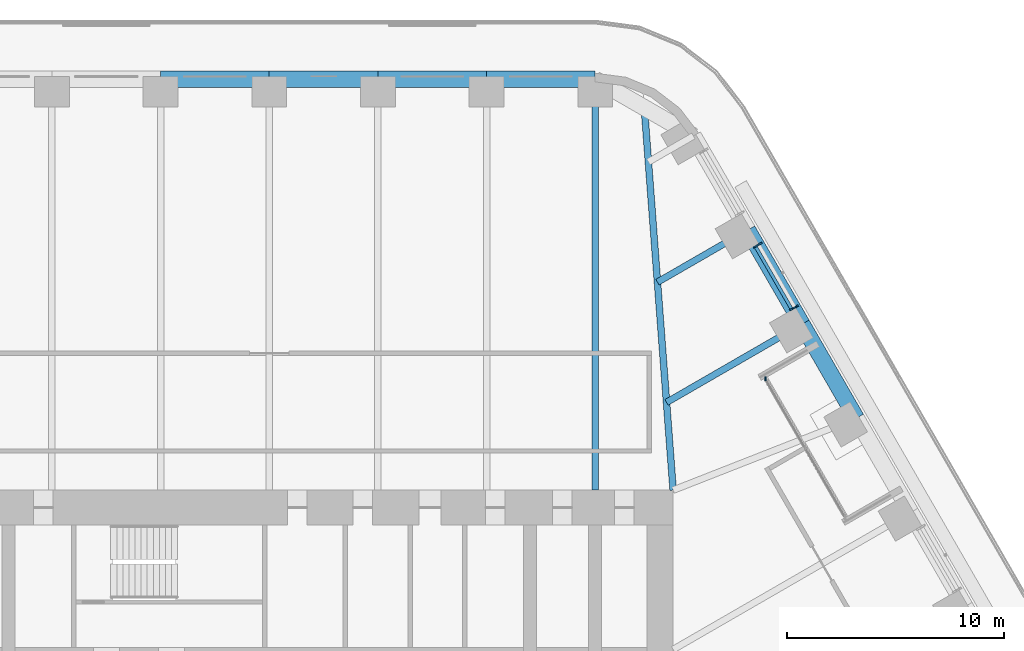
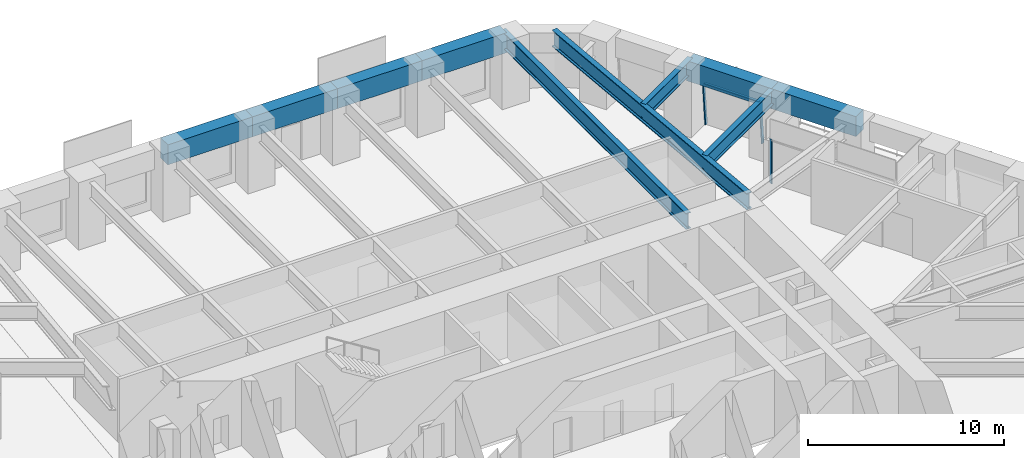
# One storey, part 12 of 24: 10 beams, 4 members, 2 elements without a shape of their own.
"""IFC4 building model written with IfcOpenShell, lengths in metres."""

from ifc_helpers import new_model, si_unit, direction, frame, origin, origin_2d, place, context, subcontext, project, spatial, rectangle, i_section, extrude, material, material_profile, profile_set, type_object, element, aggregate, save


model = new_model("IFC4")

# Units and contexts
model_context = context("Model", 3, precision=1e-05, world=origin(), true_north=direction((0.0, 1.0)))
body_context = subcontext(model_context, "Body", "Model", "MODEL_VIEW")
ifc_project = project(units=[si_unit("LENGTHUNIT", "METRE"), si_unit("AREAUNIT", "SQUARE_METRE"), si_unit("VOLUMEUNIT", "CUBIC_METRE"), si_unit("PLANEANGLEUNIT", "RADIAN"), si_unit("MASSUNIT", "GRAM", prefix="KILO")], contexts=[model_context])

# Site, building, storey
site_placement = place(None, origin())
site = spatial("IfcSite", under=ifc_project, at=site_placement, CompositionType="ELEMENT")
building_placement = place(site_placement, origin())
building = spatial("IfcBuilding", under=site, at=building_placement, Name="Tarfa Lantern Tower", CompositionType="ELEMENT")
storey_placement = place(building_placement, frame((0.0, 0.0, 174.10009765625)))
storey = spatial("IfcBuildingStorey", under=building, at=storey_placement, Name="L39", CompositionType="ELEMENT", Elevation=174.10009765625)

# Curtain wall, members
ifc_material_1 = material(Name="Aluminium framed curtain wall", Category="aluminium")
curtain_wall_type_1 = type_object("IfcCurtainWallType", Name="CW2 CANTED GLAZING MID ZONE 2750", PredefinedType="USERDEFINED", material=ifc_material_1)
curtain_wall_1_placement = place(storey_placement, origin())
curtain_wall_1 = element("IfcCurtainWall", 1, at=curtain_wall_1_placement, inside=storey, type_object=curtain_wall_type_1, Name="CW2 NEB L39", ObjectType="CURTAIN WALL", PredefinedType="USERDEFINED")
ifc_material_2 = material(Name="Aluminium mullion", Category="aluminium")
ifc_material_profile_1 = material_profile(ifc_material_2, rectangle(XDim=0.06494140625, YDim=0.199951171875, at=origin_2d()), Name="AL MULLION 65x200")
ifc_profile_set_1 = profile_set([ifc_material_profile_1], Name="Aluminium mullion")
member_type_1 = type_object("IfcMemberType", Name="CWM1 MULLION 65x200", PredefinedType="MULLION", material=ifc_profile_set_1)
member_1_placement = place(storey_placement, frame((24.275146484375, 20.75439453125, 0.0), z_axis=(-0.078422950161, -0.045267813396, 0.995891894715), x_axis=(0.499919672301, -0.866071776036, 0.0)))
member_1 = element("IfcMember", 2, at=member_1_placement, type_object=member_type_1, Name="CW2 mullion 1", PredefinedType="MULLION", context=body_context, shape_type="SweptSolid", body=[
    extrude(rectangle(XDim=0.06494140625, YDim=0.199951171875, at=origin_2d()), origin(), (0.0, 0.0, 1.0), 2.76123046875),
])
member_2_placement = place(storey_placement, frame((22.605712890625, 23.645751953125, 0.0), z_axis=(-0.078422950161, -0.045267813396, 0.995891894715), x_axis=(0.499919672301, -0.866071776036, 0.0)))
member_2 = element("IfcMember", 3, at=member_2_placement, type_object=member_type_1, Name="CW2 mullion 2", PredefinedType="MULLION", context=body_context, shape_type="SweptSolid", body=[
    extrude(rectangle(XDim=0.06494140625, YDim=0.199951171875, at=origin_2d()), origin(), (0.0, 0.0, 1.0), 2.76123046875),
])

# Curtain wall, member
curtain_wall_type_2 = type_object("IfcCurtainWallType", Name="CW10 LOGGIA GLAZING 2750", PredefinedType="USERDEFINED", material=ifc_material_1)
curtain_wall_2_placement = place(storey_placement, origin())
curtain_wall_2 = element("IfcCurtainWall", 4, at=curtain_wall_2_placement, inside=storey, type_object=curtain_wall_type_2, Name="CW10 NEL L39", ObjectType="CURTAIN WALL", PredefinedType="USERDEFINED")
member_3_placement = place(storey_placement, frame((22.84619140625, 17.429443359375, 0.0), z_axis=(0.0, 0.0, 1.0), x_axis=(1.0, 0.0, 0.0)))
member_3 = element("IfcMember", 5, at=member_3_placement, type_object=member_type_1, Name="CW10 mullion 3", PredefinedType="MULLION", context=body_context, shape_type="SweptSolid", body=[
    extrude(rectangle(XDim=0.06494140625, YDim=0.199951171875, at=origin_2d()), origin(), (0.0, 0.0, 1.0), 2.75),
])
aggregate(curtain_wall_2, [member_3])

# Member
ifc_material_3 = material(Name="Aluminium transom", Category="aluminium")
ifc_material_profile_2 = material_profile(ifc_material_3, rectangle(XDim=0.14990234375, YDim=0.06494140625, at=origin_2d()), Name="AL TRANSOM 150x65")
ifc_profile_set_2 = profile_set([ifc_material_profile_2], Name="Aluminium transom")
member_type_2 = type_object("IfcMemberType", Name="CWT1 TRANSOM 150x65", PredefinedType="USERDEFINED", material=ifc_profile_set_2)
member_4_placement = place(storey_placement, frame((24.044921875, 20.658935546875, 2.71728515625), z_axis=(-0.500012937857, 0.86601793398, 0.0), x_axis=(-0.86601793398, -0.500012937857, 0.0)))
member_4 = element("IfcMember", 6, at=member_4_placement, type_object=member_type_2, Name="CW2 transom 1.2", ObjectType="TRANSOM", PredefinedType="USERDEFINED", context=body_context, shape_type="SweptSolid", body=[
    extrude(rectangle(XDim=0.14990234375, YDim=0.06494140625, at=origin_2d()), origin(), (0.0, 0.0, 1.0), 3.27392578125),
])

aggregate(curtain_wall_1, [member_1, member_2, member_4])

# Beams
ifc_material_4 = material(Name="Concrete C80/95", Category="concrete")
ifc_material_profile_3 = material_profile(ifc_material_4, rectangle(XDim=0.75, YDim=1.25, at=origin_2d()), Name="RC 750x1250")
ifc_profile_set_3 = profile_set([ifc_material_profile_3], Name="Concrete C80/95")
beam_type_1 = type_object("IfcBeamType", Name="EB2 RC 750x1250", PredefinedType="SPANDREL", material=ifc_profile_set_3)
for number, where, z_axis, x_axis, name in (
    (7, (27.037353515625, 15.610107421875, 3.375), (-0.500022324899, 0.866012514114, 0.0), (-0.866012514114, -0.500022324899, 0.0), "Edge beam NE3"),
    (8, (24.535400390625, 19.943359375, 3.375), (-0.49998573051, 0.866033642122, 0.0), (-0.866033642122, -0.49998573051, 0.0), "Edge beam NE4"),
    (9, (15.010986328125, 31.219970703125, 3.375), (-1.0, 0.0, 0.0), (0.0, -1.0, 0.0), "Edge beam N0"),
    (10, (10.00732421875, 31.219970703125, 3.375), (-1.0, 0.0, 0.0), (0.0, -1.0, 0.0), "Edge beam N1"),
    (11, (5.003662109375, 31.219970703125, 3.375), (-1.0, 0.0, 0.0), (0.0, -1.0, 0.0), "Edge beam N2"),
    (12, (0.0, 31.219970703125, 3.375), (-1.0, 0.0, 0.0), (0.0, -1.0, 0.0), "Edge beam N3"),
):
    element("IfcBeam", number, at=place(storey_placement, frame(where, z_axis=z_axis, x_axis=x_axis)), inside=storey, type_object=beam_type_1, Name=name, PredefinedType="SPANDREL", context=body_context, shape_type="SweptSolid", body=[
        extrude(rectangle(XDim=0.75, YDim=1.25, at=origin_2d()), origin(), (0.0, 0.0, 1.0), 5.003662109375),
    ])
ifc_material_5 = material(Name="Steel S460M", Category="steel")
ifc_material_profile_4 = material_profile(ifc_material_5, i_section(OverallWidth=0.302001953125, OverallDepth=1.008056640625, WebThickness=0.02099609375, FlangeThickness=0.0400390625, FilletRadius=0.030029296875, at=origin_2d()), Name="UB1016x305x349")
ifc_profile_set_4 = profile_set([ifc_material_profile_4], Name="Steel S460M")
beam_type_2 = type_object("IfcBeamType", Name="UB1016x305x349", PredefinedType="BEAM", material=ifc_profile_set_4)
beam_1_placement = place(storey_placement, frame((15.010986328125, 31.219970703125, 3.495849609375), z_axis=(0.0, -1.0, 0.0), x_axis=(1.0, 0.0, 0.0)))
element("IfcBeam", 13, at=beam_1_placement, inside=storey, type_object=beam_type_2, Name="Floor beam N0", PredefinedType="BEAM", context=body_context, shape_type="SweptSolid", body=[
    extrude(i_section(OverallWidth=0.302001953125, OverallDepth=1.008056640625, WebThickness=0.02099609375, FlangeThickness=0.0400390625, FilletRadius=0.030029296875, at=origin_2d()), origin(), (0.0, 0.0, 1.0), 18.919921875),
])
ifc_material_profile_5 = material_profile(ifc_material_5, i_section(OverallWidth=0.30859375, OverallDepth=1.036376953125, WebThickness=0.030029296875, FlangeThickness=0.05419921875, FilletRadius=0.030029296875, at=origin_2d()), Name="UB1016x305x487")
ifc_profile_set_5 = profile_set([ifc_material_profile_5], Name="Steel S460M")
beam_type_3 = type_object("IfcBeamType", Name="UB1016x305x487", PredefinedType="BEAM", material=ifc_profile_set_5)
beam_2_placement = place(storey_placement, frame((18.60009765625, 12.300048828125, 3.481689453125), z_axis=(-0.075211516041, 0.99716760269, 0.0), x_axis=(-0.99716760269, -0.075211516041, 0.0)))
element("IfcBeam", 14, at=beam_2_placement, inside=storey, type_object=beam_type_3, Name="Hip girder NE", PredefinedType="BEAM", context=body_context, shape_type="SweptSolid", body=[
    extrude(i_section(OverallWidth=0.30859375, OverallDepth=1.036376953125, WebThickness=0.030029296875, FlangeThickness=0.05419921875, FilletRadius=0.030029296875, at=origin_2d()), origin(), (0.0, 0.0, 1.0), 17.6650390625),
])
ifc_material_profile_6 = material_profile(ifc_material_5, i_section(OverallWidth=0.305419921875, OverallDepth=0.91845703125, WebThickness=0.017333984375, FlangeThickness=0.02783203125, FilletRadius=0.01904296875, at=origin_2d()), Name="UB914x305x253")
ifc_profile_set_6 = profile_set([ifc_material_profile_6], Name="Steel S460M")
beam_type_4 = type_object("IfcBeamType", Name="UB914x305x253", PredefinedType="BEAM", material=ifc_profile_set_6)
beam_3_placement = place(storey_placement, frame((24.535400390625, 19.943359375, 3.540771484375), z_axis=(-0.86602647304, -0.499998147991, 0.0), x_axis=(0.499998147991, -0.86602647304, 0.0)))
element("IfcBeam", 15, at=beam_3_placement, inside=storey, type_object=beam_type_4, Name="Floor beam NE4", PredefinedType="BEAM", context=body_context, shape_type="SweptSolid", body=[
    extrude(i_section(OverallWidth=0.305419921875, OverallDepth=0.91845703125, WebThickness=0.017333984375, FlangeThickness=0.02783203125, FilletRadius=0.01904296875, at=origin_2d()), origin(), (0.0, 0.0, 1.0), 7.20556640625),
])
beam_4_placement = place(storey_placement, frame((22.03369140625, 24.276611328125, 3.540771484375), z_axis=(-0.866030550462, -0.499991085587, 0.0), x_axis=(0.499991085587, -0.866030550462, 0.0)))
element("IfcBeam", 16, at=beam_4_placement, inside=storey, type_object=beam_type_4, Name="Floor beam NE5", PredefinedType="BEAM", context=body_context, shape_type="SweptSolid", body=[
    extrude(i_section(OverallWidth=0.305419921875, OverallDepth=0.91845703125, WebThickness=0.017333984375, FlangeThickness=0.02783203125, FilletRadius=0.01904296875, at=origin_2d()), origin(), (0.0, 0.0, 1.0), 4.798828125),
])

save(model, "model.ifc")
